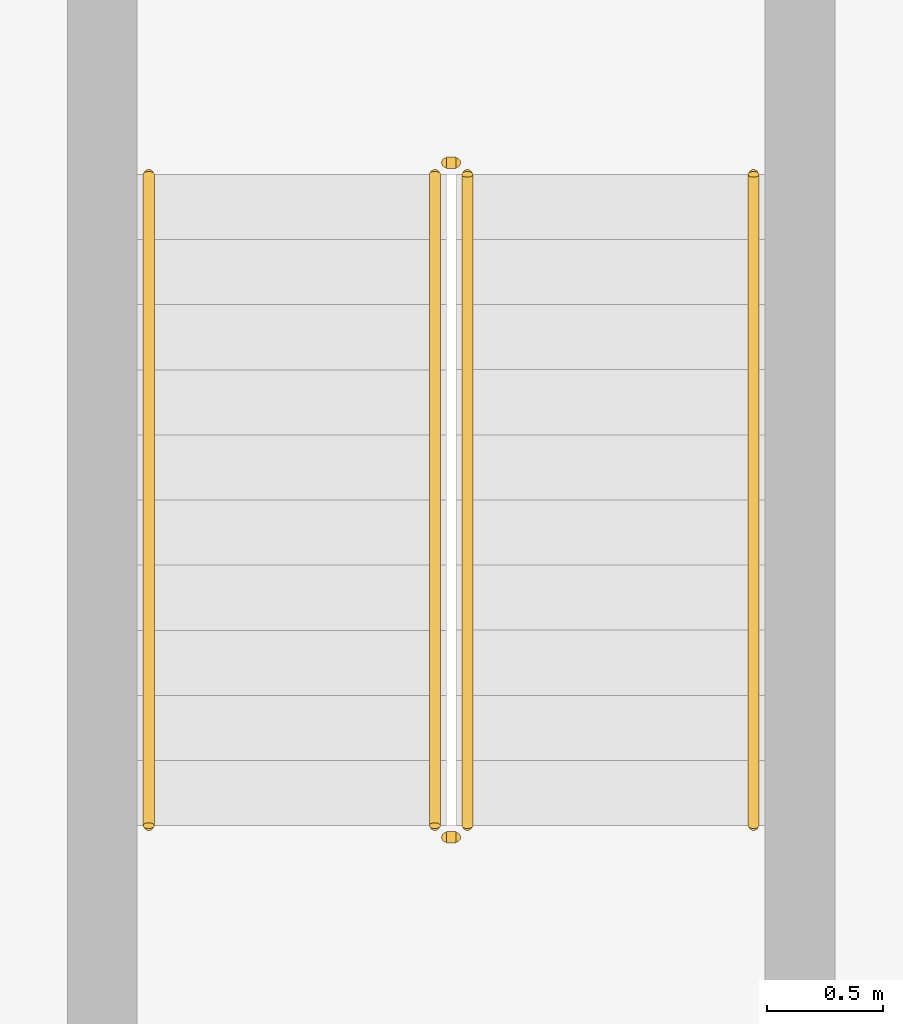
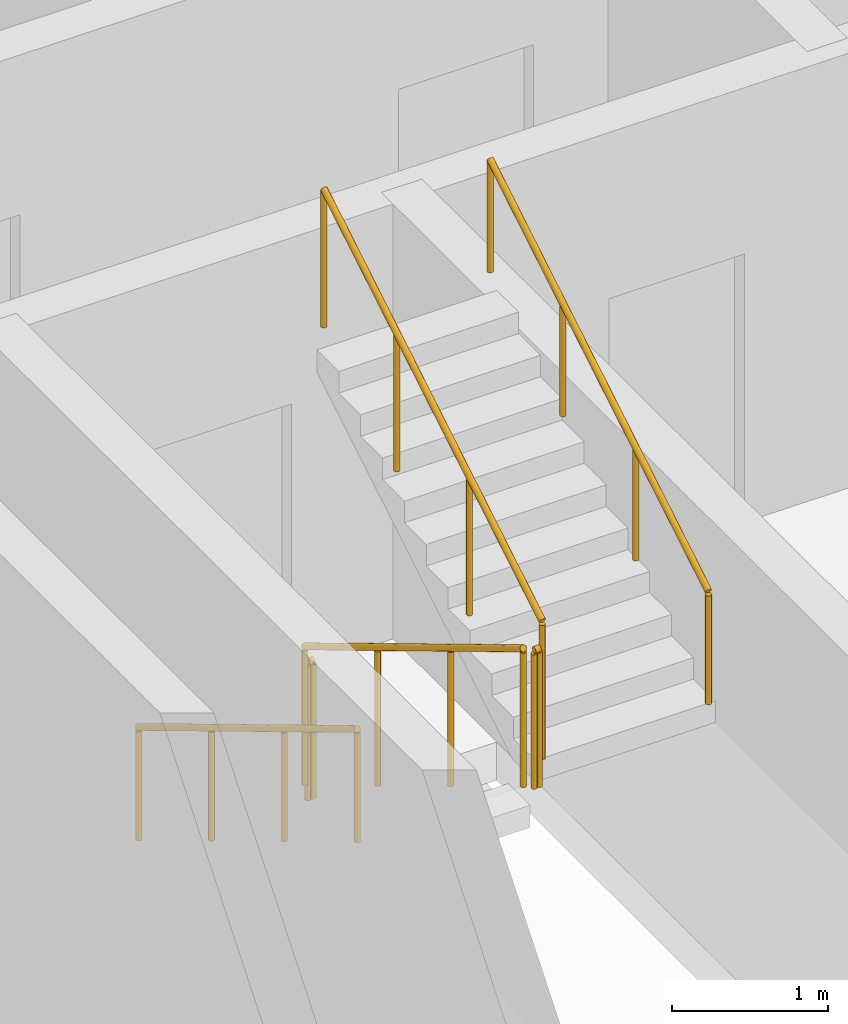
# One storey, part 20 of 20: 6 railings.
"""IFC4 building model written with IfcOpenShell, lengths in metres."""

from ifc_helpers import new_model, si_unit, direction, frame, origin, origin_2d, place, context, subcontext, project, spatial, circle, extrude, material, type_object, element, save


model = new_model("IFC4")

# Units and contexts
model_context = context("Model", 3, precision=1e-05, world=origin(), true_north=direction((0.0, 1.0)))
body_context = subcontext(model_context, "Body", "Model", "MODEL_VIEW")
ifc_project = project(units=[si_unit("LENGTHUNIT", "METRE"), si_unit("AREAUNIT", "SQUARE_METRE"), si_unit("VOLUMEUNIT", "CUBIC_METRE"), si_unit("PLANEANGLEUNIT", "RADIAN"), si_unit("MASSUNIT", "GRAM", prefix="KILO")], contexts=[model_context])

# Site, building, storey
site_placement = place(None, origin())
site = spatial("IfcSite", under=ifc_project, at=site_placement, CompositionType="ELEMENT")
building_placement = place(site_placement, origin())
building = spatial("IfcBuilding", under=site, at=building_placement, Name="Ogive Portal Towers", CompositionType="ELEMENT")
storey_placement = place(building_placement, frame((0.0, 0.0, 210.60009765625)))
storey = spatial("IfcBuildingStorey", under=building, at=storey_placement, Name="L52", CompositionType="ELEMENT", Elevation=210.60009765625)

# Railings
ifc_material_1 = material(Name="Stainless steel balustrade", Category="steel")
railing_type_1 = type_object("IfcRailingType", Name="INT-GUARD", PredefinedType="GUARDRAIL", material=ifc_material_1)
railing_1_placement = place(storey_placement, frame((88.280029296875, 29.169921875, 0.16796875)))
element("IfcRailing", 1, at=railing_1_placement, inside=storey, type_object=railing_type_1, Name="L52 ST-A4 stair guard 1", PredefinedType="GUARDRAIL", context=body_context, shape_type="SweptSolid", body=[
    extrude(circle(Radius=0.02392578125, at=origin_2d()), frame((0.0, 0.0, 1.076171875), z_axis=(0.0, -0.857222391501, 0.514946377315), x_axis=(1.0, 0.0, 0.0)), (0.0, 0.0, 1.0), 3.26611328125),
    extrude(circle(Radius=0.02099609375, at=origin_2d()), origin(), (0.0, 0.0, 1.0), 1.052001953125),
    extrude(circle(Radius=0.02099609375, at=origin_2d()), frame((0.0, -0.933349609375, 0.560546875)), (0.0, 0.0, 1.0), 1.052001953125),
    extrude(circle(Radius=0.02099609375, at=origin_2d()), frame((0.0, -1.866455078125, 1.121337890625)), (0.0, 0.0, 1.0), 1.052001953125),
    extrude(circle(Radius=0.02099609375, at=origin_2d()), frame((0.0, -2.7998046875, 1.681884765625)), (0.0, 0.0, 1.0), 1.052001953125),
])
railing_2_placement = place(storey_placement, frame((88.330078125, 26.320068359375, 1.849853515625)))
element("IfcRailing", 2, at=railing_2_placement, inside=storey, type_object=railing_type_1, Name="L52 ST-A4 stair guard 2", PredefinedType="GUARDRAIL", context=body_context, shape_type="SweptSolid", body=[
    extrude(circle(Radius=0.02392578125, at=origin_2d()), frame((0.0, 0.0, 1.076171875), z_axis=(1.0, 0.0, 0.0), x_axis=(0.0, 1.0, 0.0)), (0.0, 0.0, 1.0), 0.0400390625),
    extrude(circle(Radius=0.02099609375, at=origin_2d()), origin(), (0.0, 0.0, 1.0), 1.052001953125),
    extrude(circle(Radius=0.02099609375, at=origin_2d()), frame((0.0400390625, 0.0, 0.0)), (0.0, 0.0, 1.0), 1.052001953125),
])
railing_3_placement = place(storey_placement, frame((88.419921875, 26.3701171875, 2.01806640625)))
element("IfcRailing", 3, at=railing_3_placement, inside=storey, type_object=railing_type_1, Name="L52 ST-A4 stair guard 3", PredefinedType="GUARDRAIL", context=body_context, shape_type="SweptSolid", body=[
    extrude(circle(Radius=0.02392578125, at=origin_2d()), frame((0.0, 0.0, 1.076171875), z_axis=(0.0, 0.857222391501, 0.514946377315), x_axis=(-1.0, 0.0, 0.0)), (0.0, 0.0, 1.0), 3.26611328125),
    extrude(circle(Radius=0.02099609375, at=origin_2d()), origin(), (0.0, 0.0, 1.0), 1.052001953125),
    extrude(circle(Radius=0.02099609375, at=origin_2d()), frame((0.0, 0.933349609375, 0.560546875)), (0.0, 0.0, 1.0), 1.052001953125),
    extrude(circle(Radius=0.02099609375, at=origin_2d()), frame((0.0, 1.866455078125, 1.121337890625)), (0.0, 0.0, 1.0), 1.052001953125),
    extrude(circle(Radius=0.02099609375, at=origin_2d()), frame((0.0, 2.7998046875, 1.681884765625)), (0.0, 0.0, 1.0), 1.052001953125),
])
railing_4_placement = place(storey_placement, frame((88.330078125, 29.219970703125, 0.0)))
element("IfcRailing", 4, at=railing_4_placement, inside=storey, type_object=railing_type_1, Name="L52 ST-A4 stair guard 4", PredefinedType="GUARDRAIL", context=body_context, shape_type="SweptSolid", body=[
    extrude(circle(Radius=0.02392578125, at=origin_2d()), frame((0.0, 0.0, 1.076171875), z_axis=(1.0, 0.0, 0.0), x_axis=(0.0, 1.0, 0.0)), (0.0, 0.0, 1.0), 0.0400390625),
    extrude(circle(Radius=0.02099609375, at=origin_2d()), origin(), (0.0, 0.0, 1.0), 1.052001953125),
    extrude(circle(Radius=0.02099609375, at=origin_2d()), frame((0.0400390625, 0.0, 0.0)), (0.0, 0.0, 1.0), 1.052001953125),
])
ifc_material_2 = material(Name="Stainless steel handrail", Category="steel")
railing_type_2 = type_object("IfcRailingType", Name="INT-HANDRAIL", PredefinedType="HANDRAIL", material=ifc_material_2)
railing_5_placement = place(storey_placement, frame((87.050048828125, 29.169921875, 0.16796875)))
element("IfcRailing", 5, at=railing_5_placement, inside=storey, type_object=railing_type_2, Name="L52 ST-A4 stair handrail 1", PredefinedType="HANDRAIL", context=body_context, shape_type="SweptSolid", body=[
    extrude(circle(Radius=0.02392578125, at=origin_2d()), frame((0.0, 0.0, 0.8759765625), z_axis=(0.0, -0.857222391501, 0.514946377315), x_axis=(1.0, 0.0, 0.0)), (0.0, 0.0, 1.0), 3.26611328125),
    extrude(circle(Radius=0.02099609375, at=origin_2d()), origin(), (0.0, 0.0, 1.0), 0.851806640625),
    extrude(circle(Radius=0.02099609375, at=origin_2d()), frame((0.0, -0.933349609375, 0.560546875)), (0.0, 0.0, 1.0), 0.851806640625),
    extrude(circle(Radius=0.02099609375, at=origin_2d()), frame((0.0, -1.866455078125, 1.121337890625)), (0.0, 0.0, 1.0), 0.851806640625),
    extrude(circle(Radius=0.02099609375, at=origin_2d()), frame((0.0, -2.7998046875, 1.681884765625)), (0.0, 0.0, 1.0), 0.851806640625),
])
railing_6_placement = place(storey_placement, frame((89.64990234375, 26.3701171875, 2.01806640625)))
element("IfcRailing", 6, at=railing_6_placement, inside=storey, type_object=railing_type_2, Name="L52 ST-A4 stair handrail 2", PredefinedType="HANDRAIL", context=body_context, shape_type="SweptSolid", body=[
    extrude(circle(Radius=0.02392578125, at=origin_2d()), frame((0.0, 0.0, 0.8759765625), z_axis=(0.0, 0.857222391501, 0.514946377315), x_axis=(-1.0, 0.0, 0.0)), (0.0, 0.0, 1.0), 3.26611328125),
    extrude(circle(Radius=0.02099609375, at=origin_2d()), origin(), (0.0, 0.0, 1.0), 0.851806640625),
    extrude(circle(Radius=0.02099609375, at=origin_2d()), frame((0.0, 0.933349609375, 0.560546875)), (0.0, 0.0, 1.0), 0.851806640625),
    extrude(circle(Radius=0.02099609375, at=origin_2d()), frame((0.0, 1.866455078125, 1.121337890625)), (0.0, 0.0, 1.0), 0.851806640625),
    extrude(circle(Radius=0.02099609375, at=origin_2d()), frame((0.0, 2.7998046875, 1.681884765625)), (0.0, 0.0, 1.0), 0.851806640625),
])

save(model, "model.ifc")
